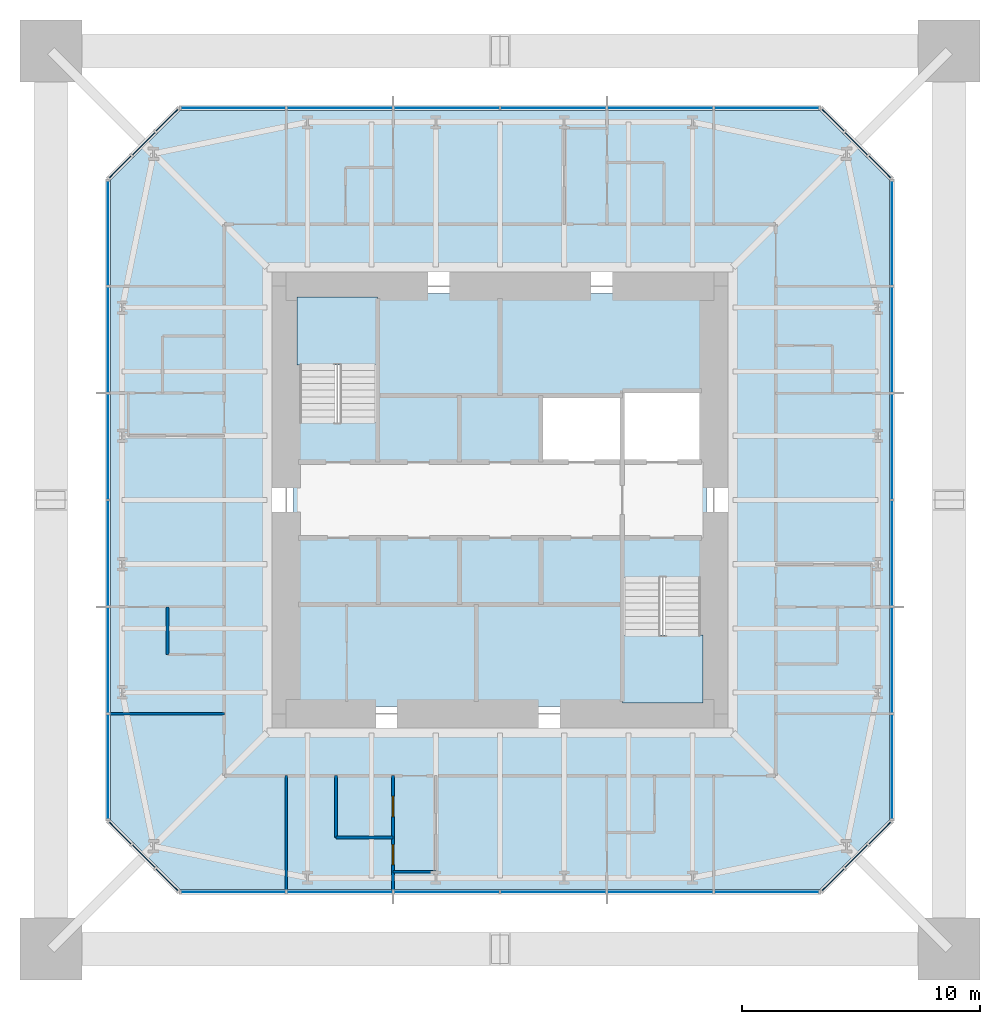
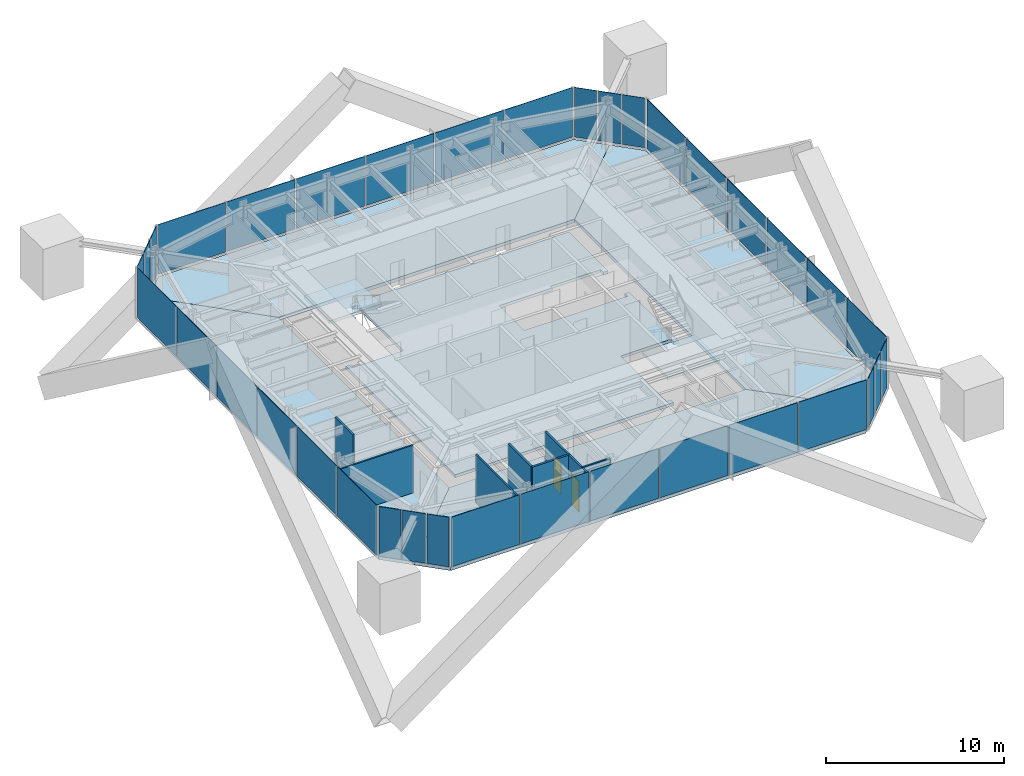
# One storey, part 6 of 10: 36 plates, 7 slabs, 7 walls, 2 doors, 2 openings, 10 elements without a shape of their own.
"""IFC4 building model written with IfcOpenShell, lengths in metres."""

from ifc_helpers import new_model, si_unit, direction, frame, frame_2d, origin, origin_2d, place, context, subcontext, project, spatial, polyline, rectangle, outline, extrude, material, layer, layer_set, constituent, constituent_set, type_object, element, fill, aggregate, save


model = new_model("IFC4")

# Units and contexts
model_context = context("Model", 3, precision=1e-05, world=origin(), true_north=direction((0.0, 1.0)))
body_context = subcontext(model_context, "Body", "Model", "MODEL_VIEW")
ifc_project = project(units=[si_unit("LENGTHUNIT", "METRE"), si_unit("AREAUNIT", "SQUARE_METRE"), si_unit("VOLUMEUNIT", "CUBIC_METRE"), si_unit("PLANEANGLEUNIT", "RADIAN"), si_unit("MASSUNIT", "GRAM", prefix="KILO")], contexts=[model_context])

# Site, building, storey
site_placement = place(None, origin())
site = spatial("IfcSite", under=ifc_project, at=site_placement, CompositionType="ELEMENT")
building_placement = place(site_placement, origin())
building = spatial("IfcBuilding", under=site, at=building_placement, Name="Iwan Alto Co-Living Towers", CompositionType="ELEMENT")
storey_placement = place(building_placement, frame((0.0, 0.0, 246.5)))
storey = spatial("IfcBuildingStorey", under=building, at=storey_placement, Name="L67", CompositionType="ELEMENT", Elevation=246.5)

# Slab
ifc_material_1 = material(Name="Concrete f'c 30 MPa", Category="concrete")
ifc_layer_1 = layer(ifc_material_1, 0.199951171875)
ifc_layer_set_1 = layer_set([ifc_layer_1], Name="CORE FLOOR SLAB 200")
slab_type_1 = type_object("IfcSlabType", Name="CORE FLOOR SLAB 200", PredefinedType="FLOOR", material=ifc_layer_set_1)
slab_1_placement = place(storey_placement, frame((0.0, 0.0, -0.199951171875)))
element("IfcSlab", 1, at=slab_1_placement, inside=storey, type_object=slab_type_1, Name="T1 core floor L67", PredefinedType="FLOOR", context=body_context, shape_type="SweptSolid", body=[
    extrude(outline(polyline([(-8.699951171875, 3.580078125), (-8.39990234375, 3.580078125), (-8.39990234375, 3.27001953125), (-5.14990234375, 3.27001953125), (-5.14990234375, 8.39990234375), (-5.4599609375, 8.39990234375), (-5.4599609375, 8.699951171875), (8.699951171875, 8.699951171875), (8.699951171875, 4.2900390625), (8.39990234375, 4.2900390625), (8.39990234375, 4.60009765625), (5.14990234375, 4.60009765625), (5.14990234375, 4.39990234375), (1.717041015625, 4.39990234375), (1.717041015625, 1.60009765625), (5.14990234375, 1.60009765625), (8.39990234375, 1.60009765625), (8.39990234375, 1.909912109375), (8.699951171875, 1.909912109375), (8.699951171875, -3.580078125), (8.39990234375, -3.580078125), (8.39990234375, -3.27001953125), (5.14990234375, -3.27001953125), (5.14990234375, -8.39990234375), (5.4599609375, -8.39990234375), (5.4599609375, -8.699951171875), (-8.699951171875, -8.699951171875), (-8.699951171875, 3.580078125)])), origin(), (0.0, 0.0, 1.0), 0.199951171875),
])

# Curtain wall, plates
ifc_material_2 = material(Name="Bronze aluminium unitised frame", Category="aluminium")
curtain_wall_type_1 = type_object("IfcCurtainWallType", Name="CURTAIN WALL CW-A", PredefinedType="NOTDEFINED", material=ifc_material_2)
curtain_wall_1_placement = place(storey_placement, origin())
curtain_wall_1 = element("IfcCurtainWall", 2, at=curtain_wall_1_placement, inside=storey, type_object=curtain_wall_type_1, Name="T1 curtain wall S L67", PredefinedType="NOTDEFINED")
ifc_material_3 = material(Name="Bronze-tinted insulating glass", Category="glass")
ifc_layer_2 = layer(ifc_material_3, 0.031982421875)
ifc_layer_set_2 = layer_set([ifc_layer_2], Name="CW-A PANEL TINTED IGU 32")
plate_type_1 = type_object("IfcPlateType", Name="CW-A PANEL TINTED IGU 32", PredefinedType="CURTAIN_PANEL", material=ifc_layer_set_2)
plate_1_placement = place(storey_placement, frame((-11.22998046875, -16.5, 0.10009765625), z_axis=(0.0, 0.0, 1.0), x_axis=(1.0, 0.0, 0.0)))
plate_1 = element("IfcPlate", 3, at=plate_1_placement, type_object=plate_type_1, Name="CW-A panel 1.1", PredefinedType="CURTAIN_PANEL", context=body_context, shape_type="SweptSolid", body=[
    extrude(rectangle(XDim=4.3798828125, YDim=0.031982421875, at=origin_2d()), origin(), (0.0, 0.0, 1.0), 3.39990234375),
])
plate_2_placement = place(storey_placement, frame((-6.75, -16.5, 0.10009765625), z_axis=(0.0, 0.0, 1.0), x_axis=(1.0, 0.0, 0.0)))
plate_2 = element("IfcPlate", 4, at=plate_2_placement, type_object=plate_type_1, Name="CW-A panel 2.1", PredefinedType="CURTAIN_PANEL", context=body_context, shape_type="SweptSolid", body=[
    extrude(rectangle(XDim=4.419921875, YDim=0.031982421875, at=origin_2d()), origin(), (0.0, 0.0, 1.0), 3.39990234375),
])
plate_3_placement = place(storey_placement, frame((-2.25, -16.5, 0.10009765625), z_axis=(0.0, 0.0, 1.0), x_axis=(1.0, 0.0, 0.0)))
plate_3 = element("IfcPlate", 5, at=plate_3_placement, type_object=plate_type_1, Name="CW-A panel 3.1", PredefinedType="CURTAIN_PANEL", context=body_context, shape_type="SweptSolid", body=[
    extrude(rectangle(XDim=4.419921875, YDim=0.031982421875, at=origin_2d()), origin(), (0.0, 0.0, 1.0), 3.39990234375),
])
plate_4_placement = place(storey_placement, frame((2.25, -16.5, 0.10009765625), z_axis=(0.0, 0.0, 1.0), x_axis=(1.0, 0.0, 0.0)))
plate_4 = element("IfcPlate", 6, at=plate_4_placement, type_object=plate_type_1, Name="CW-A panel 4.1", PredefinedType="CURTAIN_PANEL", context=body_context, shape_type="SweptSolid", body=[
    extrude(rectangle(XDim=4.419921875, YDim=0.031982421875, at=origin_2d()), origin(), (0.0, 0.0, 1.0), 3.39990234375),
])
plate_5_placement = place(storey_placement, frame((6.75, -16.5, 0.10009765625), z_axis=(0.0, 0.0, 1.0), x_axis=(1.0, 0.0, 0.0)))
plate_5 = element("IfcPlate", 7, at=plate_5_placement, type_object=plate_type_1, Name="CW-A panel 5.1", PredefinedType="CURTAIN_PANEL", context=body_context, shape_type="SweptSolid", body=[
    extrude(rectangle(XDim=4.419921875, YDim=0.031982421875, at=origin_2d()), origin(), (0.0, 0.0, 1.0), 3.39990234375),
])
plate_6_placement = place(storey_placement, frame((11.22998046875, -16.5, 0.10009765625), z_axis=(0.0, 0.0, 1.0), x_axis=(1.0, 0.0, 0.0)))
plate_6 = element("IfcPlate", 8, at=plate_6_placement, type_object=plate_type_1, Name="CW-A panel 6.1", PredefinedType="CURTAIN_PANEL", context=body_context, shape_type="SweptSolid", body=[
    extrude(rectangle(XDim=4.3798828125, YDim=0.031982421875, at=origin_2d()), origin(), (0.0, 0.0, 1.0), 3.39990234375),
])
aggregate(curtain_wall_1, [plate_1, plate_2, plate_3, plate_4, plate_5, plate_6])

curtain_wall_2_placement = place(storey_placement, origin())
curtain_wall_2 = element("IfcCurtainWall", 9, at=curtain_wall_2_placement, inside=storey, type_object=curtain_wall_type_1, Name="T1 curtain wall E L67", PredefinedType="NOTDEFINED")
plate_7_placement = place(storey_placement, frame((16.5, -11.22998046875, 0.10009765625), z_axis=(0.0, 0.0, 1.0), x_axis=(0.0, 1.0, 0.0)))
plate_7 = element("IfcPlate", 10, at=plate_7_placement, type_object=plate_type_1, Name="CW-A panel 1.1", PredefinedType="CURTAIN_PANEL", context=body_context, shape_type="SweptSolid", body=[
    extrude(rectangle(XDim=4.3798828125, YDim=0.031982421875, at=origin_2d()), origin(), (0.0, 0.0, 1.0), 3.39990234375),
])
plate_8_placement = place(storey_placement, frame((16.5, -6.75, 0.10009765625), z_axis=(0.0, 0.0, 1.0), x_axis=(0.0, 1.0, 0.0)))
plate_8 = element("IfcPlate", 11, at=plate_8_placement, type_object=plate_type_1, Name="CW-A panel 2.1", PredefinedType="CURTAIN_PANEL", context=body_context, shape_type="SweptSolid", body=[
    extrude(rectangle(XDim=4.419921875, YDim=0.031982421875, at=origin_2d()), origin(), (0.0, 0.0, 1.0), 3.39990234375),
])
plate_9_placement = place(storey_placement, frame((16.5, -2.25, 0.10009765625), z_axis=(0.0, 0.0, 1.0), x_axis=(0.0, 1.0, 0.0)))
plate_9 = element("IfcPlate", 12, at=plate_9_placement, type_object=plate_type_1, Name="CW-A panel 3.1", PredefinedType="CURTAIN_PANEL", context=body_context, shape_type="SweptSolid", body=[
    extrude(rectangle(XDim=4.419921875, YDim=0.031982421875, at=origin_2d()), origin(), (0.0, 0.0, 1.0), 3.39990234375),
])
plate_10_placement = place(storey_placement, frame((16.5, 2.25, 0.10009765625), z_axis=(0.0, 0.0, 1.0), x_axis=(0.0, 1.0, 0.0)))
plate_10 = element("IfcPlate", 13, at=plate_10_placement, type_object=plate_type_1, Name="CW-A panel 4.1", PredefinedType="CURTAIN_PANEL", context=body_context, shape_type="SweptSolid", body=[
    extrude(rectangle(XDim=4.419921875, YDim=0.031982421875, at=origin_2d()), origin(), (0.0, 0.0, 1.0), 3.39990234375),
])
plate_11_placement = place(storey_placement, frame((16.5, 6.75, 0.10009765625), z_axis=(0.0, 0.0, 1.0), x_axis=(0.0, 1.0, 0.0)))
plate_11 = element("IfcPlate", 14, at=plate_11_placement, type_object=plate_type_1, Name="CW-A panel 5.1", PredefinedType="CURTAIN_PANEL", context=body_context, shape_type="SweptSolid", body=[
    extrude(rectangle(XDim=4.419921875, YDim=0.031982421875, at=origin_2d()), origin(), (0.0, 0.0, 1.0), 3.39990234375),
])
plate_12_placement = place(storey_placement, frame((16.5, 11.22998046875, 0.10009765625), z_axis=(0.0, 0.0, 1.0), x_axis=(0.0, 1.0, 0.0)))
plate_12 = element("IfcPlate", 15, at=plate_12_placement, type_object=plate_type_1, Name="CW-A panel 6.1", PredefinedType="CURTAIN_PANEL", context=body_context, shape_type="SweptSolid", body=[
    extrude(rectangle(XDim=4.3798828125, YDim=0.031982421875, at=origin_2d()), origin(), (0.0, 0.0, 1.0), 3.39990234375),
])
aggregate(curtain_wall_2, [plate_7, plate_8, plate_9, plate_10, plate_11, plate_12])

curtain_wall_3_placement = place(storey_placement, origin())
curtain_wall_3 = element("IfcCurtainWall", 16, at=curtain_wall_3_placement, inside=storey, type_object=curtain_wall_type_1, Name="T1 curtain wall N L67", PredefinedType="NOTDEFINED")
plate_13_placement = place(storey_placement, frame((11.22998046875, 16.5, 0.10009765625), z_axis=(0.0, 0.0, 1.0), x_axis=(-1.0, 0.0, 0.0)))
plate_13 = element("IfcPlate", 17, at=plate_13_placement, type_object=plate_type_1, Name="CW-A panel 1.1", PredefinedType="CURTAIN_PANEL", context=body_context, shape_type="SweptSolid", body=[
    extrude(rectangle(XDim=4.3798828125, YDim=0.031982421875, at=origin_2d()), origin(), (0.0, 0.0, 1.0), 3.39990234375),
])
plate_14_placement = place(storey_placement, frame((6.75, 16.5, 0.10009765625), z_axis=(0.0, 0.0, 1.0), x_axis=(-1.0, 0.0, 0.0)))
plate_14 = element("IfcPlate", 18, at=plate_14_placement, type_object=plate_type_1, Name="CW-A panel 2.1", PredefinedType="CURTAIN_PANEL", context=body_context, shape_type="SweptSolid", body=[
    extrude(rectangle(XDim=4.419921875, YDim=0.031982421875, at=origin_2d()), origin(), (0.0, 0.0, 1.0), 3.39990234375),
])
plate_15_placement = place(storey_placement, frame((2.25, 16.5, 0.10009765625), z_axis=(0.0, 0.0, 1.0), x_axis=(-1.0, 0.0, 0.0)))
plate_15 = element("IfcPlate", 19, at=plate_15_placement, type_object=plate_type_1, Name="CW-A panel 3.1", PredefinedType="CURTAIN_PANEL", context=body_context, shape_type="SweptSolid", body=[
    extrude(rectangle(XDim=4.419921875, YDim=0.031982421875, at=origin_2d()), origin(), (0.0, 0.0, 1.0), 3.39990234375),
])
plate_16_placement = place(storey_placement, frame((-2.25, 16.5, 0.10009765625), z_axis=(0.0, 0.0, 1.0), x_axis=(-1.0, 0.0, 0.0)))
plate_16 = element("IfcPlate", 20, at=plate_16_placement, type_object=plate_type_1, Name="CW-A panel 4.1", PredefinedType="CURTAIN_PANEL", context=body_context, shape_type="SweptSolid", body=[
    extrude(rectangle(XDim=4.419921875, YDim=0.031982421875, at=origin_2d()), origin(), (0.0, 0.0, 1.0), 3.39990234375),
])
plate_17_placement = place(storey_placement, frame((-6.75, 16.5, 0.10009765625), z_axis=(0.0, 0.0, 1.0), x_axis=(-1.0, 0.0, 0.0)))
plate_17 = element("IfcPlate", 21, at=plate_17_placement, type_object=plate_type_1, Name="CW-A panel 5.1", PredefinedType="CURTAIN_PANEL", context=body_context, shape_type="SweptSolid", body=[
    extrude(rectangle(XDim=4.419921875, YDim=0.031982421875, at=origin_2d()), origin(), (0.0, 0.0, 1.0), 3.39990234375),
])
plate_18_placement = place(storey_placement, frame((-11.22998046875, 16.5, 0.10009765625), z_axis=(0.0, 0.0, 1.0), x_axis=(-1.0, 0.0, 0.0)))
plate_18 = element("IfcPlate", 22, at=plate_18_placement, type_object=plate_type_1, Name="CW-A panel 6.1", PredefinedType="CURTAIN_PANEL", context=body_context, shape_type="SweptSolid", body=[
    extrude(rectangle(XDim=4.3798828125, YDim=0.031982421875, at=origin_2d()), origin(), (0.0, 0.0, 1.0), 3.39990234375),
])
aggregate(curtain_wall_3, [plate_13, plate_14, plate_15, plate_16, plate_17, plate_18])

curtain_wall_4_placement = place(storey_placement, origin())
curtain_wall_4 = element("IfcCurtainWall", 23, at=curtain_wall_4_placement, inside=storey, type_object=curtain_wall_type_1, Name="T1 curtain wall W L67", PredefinedType="NOTDEFINED")
plate_19_placement = place(storey_placement, frame((-16.5, 11.22998046875, 0.10009765625), z_axis=(0.0, 0.0, 1.0), x_axis=(0.0, -1.0, 0.0)))
plate_19 = element("IfcPlate", 24, at=plate_19_placement, type_object=plate_type_1, Name="CW-A panel 1.1", PredefinedType="CURTAIN_PANEL", context=body_context, shape_type="SweptSolid", body=[
    extrude(rectangle(XDim=4.3798828125, YDim=0.031982421875, at=origin_2d()), origin(), (0.0, 0.0, 1.0), 3.39990234375),
])
plate_20_placement = place(storey_placement, frame((-16.5, 6.75, 0.10009765625), z_axis=(0.0, 0.0, 1.0), x_axis=(0.0, -1.0, 0.0)))
plate_20 = element("IfcPlate", 25, at=plate_20_placement, type_object=plate_type_1, Name="CW-A panel 2.1", PredefinedType="CURTAIN_PANEL", context=body_context, shape_type="SweptSolid", body=[
    extrude(rectangle(XDim=4.419921875, YDim=0.031982421875, at=origin_2d()), origin(), (0.0, 0.0, 1.0), 3.39990234375),
])
plate_21_placement = place(storey_placement, frame((-16.5, 2.25, 0.10009765625), z_axis=(0.0, 0.0, 1.0), x_axis=(0.0, -1.0, 0.0)))
plate_21 = element("IfcPlate", 26, at=plate_21_placement, type_object=plate_type_1, Name="CW-A panel 3.1", PredefinedType="CURTAIN_PANEL", context=body_context, shape_type="SweptSolid", body=[
    extrude(rectangle(XDim=4.419921875, YDim=0.031982421875, at=origin_2d()), origin(), (0.0, 0.0, 1.0), 3.39990234375),
])
plate_22_placement = place(storey_placement, frame((-16.5, -2.25, 0.10009765625), z_axis=(0.0, 0.0, 1.0), x_axis=(0.0, -1.0, 0.0)))
plate_22 = element("IfcPlate", 27, at=plate_22_placement, type_object=plate_type_1, Name="CW-A panel 4.1", PredefinedType="CURTAIN_PANEL", context=body_context, shape_type="SweptSolid", body=[
    extrude(rectangle(XDim=4.419921875, YDim=0.031982421875, at=origin_2d()), origin(), (0.0, 0.0, 1.0), 3.39990234375),
])
plate_23_placement = place(storey_placement, frame((-16.5, -6.75, 0.10009765625), z_axis=(0.0, 0.0, 1.0), x_axis=(0.0, -1.0, 0.0)))
plate_23 = element("IfcPlate", 28, at=plate_23_placement, type_object=plate_type_1, Name="CW-A panel 5.1", PredefinedType="CURTAIN_PANEL", context=body_context, shape_type="SweptSolid", body=[
    extrude(rectangle(XDim=4.419921875, YDim=0.031982421875, at=origin_2d()), origin(), (0.0, 0.0, 1.0), 3.39990234375),
])
plate_24_placement = place(storey_placement, frame((-16.5, -11.22998046875, 0.10009765625), z_axis=(0.0, 0.0, 1.0), x_axis=(0.0, -1.0, 0.0)))
plate_24 = element("IfcPlate", 29, at=plate_24_placement, type_object=plate_type_1, Name="CW-A panel 6.1", PredefinedType="CURTAIN_PANEL", context=body_context, shape_type="SweptSolid", body=[
    extrude(rectangle(XDim=4.3798828125, YDim=0.031982421875, at=origin_2d()), origin(), (0.0, 0.0, 1.0), 3.39990234375),
])
aggregate(curtain_wall_4, [plate_19, plate_20, plate_21, plate_22, plate_23, plate_24])

ifc_material_4 = material(Name="Bronze aluminium unitised frame", Category="aluminium")
curtain_wall_type_2 = type_object("IfcCurtainWallType", Name="CURTAIN WALL CW-B", PredefinedType="NOTDEFINED", material=ifc_material_4)
curtain_wall_5_placement = place(storey_placement, origin())
curtain_wall_5 = element("IfcCurtainWall", 30, at=curtain_wall_5_placement, inside=storey, type_object=curtain_wall_type_2, Name="T1 chamfer curtain wall SE L67", PredefinedType="NOTDEFINED")
ifc_material_5 = material(Name="Bronze-tinted insulating glass", Category="glass")
ifc_layer_3 = layer(ifc_material_5, 0.031982421875)
ifc_layer_set_3 = layer_set([ifc_layer_3], Name="CW-B PANEL TINTED IGU 32")
plate_type_2 = type_object("IfcPlateType", Name="CW-B PANEL TINTED IGU 32", PredefinedType="CURTAIN_PANEL", material=ifc_layer_set_3)
plate_25_placement = place(storey_placement, frame((14.01416015625, -15.98583984375, 0.10009765625), z_axis=(0.0, 0.0, 1.0), x_axis=(0.707106781187, 0.707106781187, 0.0)))
plate_25 = element("IfcPlate", 31, at=plate_25_placement, type_object=plate_type_2, Name="CW-B panel 1.1", PredefinedType="CURTAIN_PANEL", context=body_context, shape_type="SweptSolid", body=[
    extrude(rectangle(XDim=1.294189453125, YDim=0.031982421875, at=origin_2d()), origin(), (0.0, 0.0, 1.0), 3.39990234375),
])
plate_26_placement = place(storey_placement, frame((15.0, -15.0, 0.10009765625), z_axis=(0.0, 0.0, 1.0), x_axis=(0.707106781187, 0.707106781187, 0.0)))
plate_26 = element("IfcPlate", 32, at=plate_26_placement, type_object=plate_type_2, Name="CW-B panel 2.1", PredefinedType="CURTAIN_PANEL", context=body_context, shape_type="SweptSolid", body=[
    extrude(rectangle(XDim=1.334228515625, YDim=0.031982421875, at=origin_2d()), origin(), (0.0, 0.0, 1.0), 3.39990234375),
])
plate_27_placement = place(storey_placement, frame((15.98583984375, -14.01416015625, 0.10009765625), z_axis=(0.0, 0.0, 1.0), x_axis=(0.707106781187, 0.707106781187, 0.0)))
plate_27 = element("IfcPlate", 33, at=plate_27_placement, type_object=plate_type_2, Name="CW-B panel 3.1", PredefinedType="CURTAIN_PANEL", context=body_context, shape_type="SweptSolid", body=[
    extrude(rectangle(XDim=1.294189453125, YDim=0.031982421875, at=origin_2d()), origin(), (0.0, 0.0, 1.0), 3.39990234375),
])
aggregate(curtain_wall_5, [plate_25, plate_26, plate_27])

curtain_wall_6_placement = place(storey_placement, origin())
curtain_wall_6 = element("IfcCurtainWall", 34, at=curtain_wall_6_placement, inside=storey, type_object=curtain_wall_type_2, Name="T1 chamfer curtain wall NE L67", PredefinedType="NOTDEFINED")
plate_28_placement = place(storey_placement, frame((15.98583984375, 14.01416015625, 0.10009765625), z_axis=(0.0, 0.0, 1.0), x_axis=(-0.707106781187, 0.707106781187, 0.0)))
plate_28 = element("IfcPlate", 35, at=plate_28_placement, type_object=plate_type_2, Name="CW-B panel 1.1", PredefinedType="CURTAIN_PANEL", context=body_context, shape_type="SweptSolid", body=[
    extrude(rectangle(XDim=1.294189453125, YDim=0.031982421875, at=origin_2d()), origin(), (0.0, 0.0, 1.0), 3.39990234375),
])
plate_29_placement = place(storey_placement, frame((15.0, 15.0, 0.10009765625), z_axis=(0.0, 0.0, 1.0), x_axis=(-0.707106781187, 0.707106781187, 0.0)))
plate_29 = element("IfcPlate", 36, at=plate_29_placement, type_object=plate_type_2, Name="CW-B panel 2.1", PredefinedType="CURTAIN_PANEL", context=body_context, shape_type="SweptSolid", body=[
    extrude(rectangle(XDim=1.334228515625, YDim=0.031982421875, at=origin_2d()), origin(), (0.0, 0.0, 1.0), 3.39990234375),
])
plate_30_placement = place(storey_placement, frame((14.01416015625, 15.98583984375, 0.10009765625), z_axis=(0.0, 0.0, 1.0), x_axis=(-0.707106781187, 0.707106781187, 0.0)))
plate_30 = element("IfcPlate", 37, at=plate_30_placement, type_object=plate_type_2, Name="CW-B panel 3.1", PredefinedType="CURTAIN_PANEL", context=body_context, shape_type="SweptSolid", body=[
    extrude(rectangle(XDim=1.294189453125, YDim=0.031982421875, at=origin_2d()), origin(), (0.0, 0.0, 1.0), 3.39990234375),
])
aggregate(curtain_wall_6, [plate_28, plate_29, plate_30])

curtain_wall_7_placement = place(storey_placement, origin())
curtain_wall_7 = element("IfcCurtainWall", 38, at=curtain_wall_7_placement, inside=storey, type_object=curtain_wall_type_2, Name="T1 chamfer curtain wall NW L67", PredefinedType="NOTDEFINED")
plate_31_placement = place(storey_placement, frame((-14.01416015625, 15.98583984375, 0.10009765625), z_axis=(0.0, 0.0, 1.0), x_axis=(-0.707106781187, -0.707106781187, 0.0)))
plate_31 = element("IfcPlate", 39, at=plate_31_placement, type_object=plate_type_2, Name="CW-B panel 1.1", PredefinedType="CURTAIN_PANEL", context=body_context, shape_type="SweptSolid", body=[
    extrude(rectangle(XDim=1.294189453125, YDim=0.031982421875, at=origin_2d()), origin(), (0.0, 0.0, 1.0), 3.39990234375),
])
plate_32_placement = place(storey_placement, frame((-15.0, 15.0, 0.10009765625), z_axis=(0.0, 0.0, 1.0), x_axis=(-0.707106781187, -0.707106781187, 0.0)))
plate_32 = element("IfcPlate", 40, at=plate_32_placement, type_object=plate_type_2, Name="CW-B panel 2.1", PredefinedType="CURTAIN_PANEL", context=body_context, shape_type="SweptSolid", body=[
    extrude(rectangle(XDim=1.334228515625, YDim=0.031982421875, at=origin_2d()), origin(), (0.0, 0.0, 1.0), 3.39990234375),
])
plate_33_placement = place(storey_placement, frame((-15.98583984375, 14.01416015625, 0.10009765625), z_axis=(0.0, 0.0, 1.0), x_axis=(-0.707106781187, -0.707106781187, 0.0)))
plate_33 = element("IfcPlate", 41, at=plate_33_placement, type_object=plate_type_2, Name="CW-B panel 3.1", PredefinedType="CURTAIN_PANEL", context=body_context, shape_type="SweptSolid", body=[
    extrude(rectangle(XDim=1.294189453125, YDim=0.031982421875, at=origin_2d()), origin(), (0.0, 0.0, 1.0), 3.39990234375),
])
aggregate(curtain_wall_7, [plate_31, plate_32, plate_33])

curtain_wall_8_placement = place(storey_placement, origin())
curtain_wall_8 = element("IfcCurtainWall", 42, at=curtain_wall_8_placement, inside=storey, type_object=curtain_wall_type_2, Name="T1 chamfer curtain wall SW L67", PredefinedType="NOTDEFINED")
plate_34_placement = place(storey_placement, frame((-15.98583984375, -14.01416015625, 0.10009765625), z_axis=(0.0, 0.0, 1.0), x_axis=(0.707106781187, -0.707106781187, 0.0)))
plate_34 = element("IfcPlate", 43, at=plate_34_placement, type_object=plate_type_2, Name="CW-B panel 1.1", PredefinedType="CURTAIN_PANEL", context=body_context, shape_type="SweptSolid", body=[
    extrude(rectangle(XDim=1.294189453125, YDim=0.031982421875, at=origin_2d()), origin(), (0.0, 0.0, 1.0), 3.39990234375),
])
plate_35_placement = place(storey_placement, frame((-15.0, -15.0, 0.10009765625), z_axis=(0.0, 0.0, 1.0), x_axis=(0.707106781187, -0.707106781187, 0.0)))
plate_35 = element("IfcPlate", 44, at=plate_35_placement, type_object=plate_type_2, Name="CW-B panel 2.1", PredefinedType="CURTAIN_PANEL", context=body_context, shape_type="SweptSolid", body=[
    extrude(rectangle(XDim=1.334228515625, YDim=0.031982421875, at=origin_2d()), origin(), (0.0, 0.0, 1.0), 3.39990234375),
])
plate_36_placement = place(storey_placement, frame((-14.01416015625, -15.98583984375, 0.10009765625), z_axis=(0.0, 0.0, 1.0), x_axis=(0.707106781187, -0.707106781187, 0.0)))
plate_36 = element("IfcPlate", 45, at=plate_36_placement, type_object=plate_type_2, Name="CW-B panel 3.1", PredefinedType="CURTAIN_PANEL", context=body_context, shape_type="SweptSolid", body=[
    extrude(rectangle(XDim=1.294189453125, YDim=0.031982421875, at=origin_2d()), origin(), (0.0, 0.0, 1.0), 3.39990234375),
])
aggregate(curtain_wall_8, [plate_34, plate_35, plate_36])

# Stair, slab
ifc_material_6 = material(Name="Steel ASTM A36", Category="steel")
ifc_constituent_1 = constituent(ifc_material_6, Name="Stringers", Category="LoadBearing")
ifc_material_7 = material(Name="Concrete f'c 30 MPa", Category="concrete")
ifc_constituent_2 = constituent(ifc_material_7, Name="Tread fill", Category="Finish")
ifc_constituent_set = constituent_set(constituents=[ifc_constituent_1, ifc_constituent_2], Name="STAIR 3500 TWO-FLIGHT T1 CORE")
stair_type = type_object("IfcStairType", Name="STAIR 3500 TWO-FLIGHT T1 CORE", PredefinedType="HALF_TURN_STAIR", material=ifc_constituent_set)
stair_1_placement = place(storey_placement, origin())
stair_1 = element("IfcStair", 46, at=stair_1_placement, inside=storey, type_object=stair_type, Name="Stair T1-S1 L67 to L68", PredefinedType="HALF_TURN_STAIR")
ifc_material_8 = material(Name="Concrete f'c 30 MPa", Category="concrete")
ifc_layer_4 = layer(ifc_material_8, 0.199951171875)
ifc_layer_set_4 = layer_set([ifc_layer_4], Name="STAIR LANDING 200")
slab_type_2 = type_object("IfcSlabType", Name="STAIR LANDING 200", PredefinedType="LANDING", material=ifc_layer_set_4)
slab_2_placement = place(storey_placement, frame((0.0, 0.0, 1.550048828125)))
slab_2 = element("IfcSlab", 47, at=slab_2_placement, type_object=slab_type_2, Name="T1-S1 landing 1", PredefinedType="LANDING", context=body_context, shape_type="SweptSolid", body=[
    extrude(outline(polyline([(-8.550048828125, 5.68994140625), (-8.550048828125, 8.550048828125), (-5.14990234375, 8.550048828125), (-5.14990234375, 5.68994140625), (-8.550048828125, 5.68994140625)])), origin(), (0.0, 0.0, 1.0), 0.199951171875),
])
aggregate(stair_1, [slab_2])

stair_2_placement = place(storey_placement, origin())
stair_2 = element("IfcStair", 48, at=stair_2_placement, inside=storey, type_object=stair_type, Name="Stair T1-S2 L67 to L68", PredefinedType="HALF_TURN_STAIR")
slab_3_placement = place(storey_placement, frame((0.0, 0.0, 1.550048828125)))
slab_3 = element("IfcSlab", 49, at=slab_3_placement, type_object=slab_type_2, Name="T1-S2 landing 1", PredefinedType="LANDING", context=body_context, shape_type="SweptSolid", body=[
    extrude(outline(polyline([(5.14990234375, -5.68994140625), (5.14990234375, -8.550048828125), (8.550048828125, -8.550048828125), (8.550048828125, -5.68994140625), (5.14990234375, -5.68994140625)])), origin(), (0.0, 0.0, 1.0), 0.199951171875),
])
aggregate(stair_2, [slab_3])

# Slabs
ifc_material_9 = material(Name="Concrete f'c 30 MPa", Category="concrete")
ifc_layer_5 = layer(ifc_material_9, 0.22998046875)
ifc_layer_set_5 = layer_set([ifc_layer_5], Name="T1 FLOOR SLAB 230")
slab_type_3 = type_object("IfcSlabType", Name="T1 FLOOR SLAB 230", PredefinedType="FLOOR", material=ifc_layer_set_5)
slab_4_placement = place(storey_placement, frame((0.0, 0.0, -0.22998046875)))
element("IfcSlab", 50, at=slab_4_placement, inside=storey, type_object=slab_type_3, Name="T1 floor slab L67 S pour", PredefinedType="FLOOR", context=body_context, shape_type="SweptSolid", body=[
    extrude(outline(polyline([(13.44140625, -16.39990234375), (-13.44140625, -16.39990234375), (-14.920654296875, -14.920654296875), (-9.60009765625, -9.60009765625), (9.60009765625, -9.60009765625), (14.920654296875, -14.920654296875), (13.44140625, -16.39990234375)])), origin(), (0.0, 0.0, 1.0), 0.22998046875),
])
slab_5_placement = place(storey_placement, frame((0.0, 0.0, -0.22998046875)))
element("IfcSlab", 51, at=slab_5_placement, inside=storey, type_object=slab_type_3, Name="T1 floor slab L67 E pour", PredefinedType="FLOOR", context=body_context, shape_type="SweptSolid", body=[
    extrude(outline(polyline([(16.39990234375, 13.44140625), (16.39990234375, -13.44140625), (14.920654296875, -14.920654296875), (9.60009765625, -9.60009765625), (9.60009765625, 9.60009765625), (14.920654296875, 14.920654296875), (16.39990234375, 13.44140625)])), origin(), (0.0, 0.0, 1.0), 0.22998046875),
])
slab_6_placement = place(storey_placement, frame((0.0, 0.0, -0.22998046875)))
element("IfcSlab", 52, at=slab_6_placement, inside=storey, type_object=slab_type_3, Name="T1 floor slab L67 N pour", PredefinedType="FLOOR", context=body_context, shape_type="SweptSolid", body=[
    extrude(outline(polyline([(-13.44140625, 16.39990234375), (13.44140625, 16.39990234375), (14.920654296875, 14.920654296875), (9.60009765625, 9.60009765625), (-9.60009765625, 9.60009765625), (-14.920654296875, 14.920654296875), (-13.44140625, 16.39990234375)])), origin(), (0.0, 0.0, 1.0), 0.22998046875),
])
slab_7_placement = place(storey_placement, frame((0.0, 0.0, -0.22998046875)))
element("IfcSlab", 53, at=slab_7_placement, inside=storey, type_object=slab_type_3, Name="T1 floor slab L67 W pour", PredefinedType="FLOOR", context=body_context, shape_type="SweptSolid", body=[
    extrude(outline(polyline([(-16.39990234375, 13.44140625), (-14.920654296875, 14.920654296875), (-9.60009765625, 9.60009765625), (-9.60009765625, -9.60009765625), (-14.920654296875, -14.920654296875), (-16.39990234375, -13.44140625), (-16.39990234375, 13.44140625)])), origin(), (0.0, 0.0, 1.0), 0.22998046875),
])

# Walls
ifc_material_10 = material(Name="Gypsum board")
ifc_layer_6 = layer(ifc_material_10, 0.012451171875, Name="Board", Category="Finish")
ifc_material_11 = material(Name="Steel ASTM A1003 ST33H cold-formed studs", Category="steel")
ifc_layer_7 = layer(ifc_material_11, 0.074951171875, Name="Studs", Category="Framing")
ifc_layer_8 = layer(ifc_material_10, 0.012451171875, Name="Board", Category="Finish")
ifc_layer_set_6 = layer_set([ifc_layer_6, ifc_layer_7, ifc_layer_8], Name="PARTITION 100")
wall_type_1 = type_object("IfcWallType", Name="PARTITION 100", PredefinedType="PARTITIONING", material=ifc_layer_set_6)
wall_1_placement = place(storey_placement, frame((-4.5, -15.64990234375, 0.0), z_axis=(0.0, 0.0, 1.0), x_axis=(1.0, 0.0, 0.0)))
element("IfcWall", 54, at=wall_1_placement, inside=storey, type_object=wall_type_1, Name="Partition L67", PredefinedType="PARTITIONING", context=body_context, shape_type="SweptSolid", body=[
    extrude(rectangle(XDim=1.800048828125, YDim=0.10009765625, at=frame_2d((0.89990234375, 0.0))), origin(), (0.0, 0.0, 1.0), 3.27001953125),
])
for number, where, z_axis, x_axis, name in (
    (55, (-16.43994140625, -9.0, 0.0), (0.0, 0.0, 1.0), (1.0, 0.0, 0.0), "Partition L67"),
    (56, (-9.0, -16.43994140625, 0.0), (0.0, 0.0, 1.0), (0.0, 1.0, 0.0), "Partition L67"),
):
    element("IfcWall", number, at=place(storey_placement, frame(where, z_axis=z_axis, x_axis=x_axis)), inside=storey, type_object=wall_type_1, Name=name, PredefinedType="PARTITIONING", context=body_context, shape_type="SweptSolid", body=[
        extrude(rectangle(XDim=4.83984375, YDim=0.10009765625, at=frame_2d((2.419921875, 0.0))), origin(), (0.0, 0.0, 1.0), 3.27001953125),
    ])
ifc_material_12 = material(Name="Cement board")
ifc_layer_9 = layer(ifc_material_12, 0.012451171875, Name="Board", Category="Finish")
ifc_layer_10 = layer(ifc_material_11, 0.094970703125, Name="Studs", Category="Framing")
ifc_layer_11 = layer(ifc_material_12, 0.012451171875, Name="Board", Category="Finish")
ifc_layer_set_7 = layer_set([ifc_layer_9, ifc_layer_10, ifc_layer_11], Name="WET AREA PARTITION 120")
wall_type_2 = type_object("IfcWallType", Name="WET AREA PARTITION 120", PredefinedType="PARTITIONING", material=ifc_layer_set_7)
wall_2_placement = place(storey_placement, frame((-6.89990234375, -14.199951171875, 0.0), z_axis=(0.0, 0.0, 1.0), x_axis=(1.0, 0.0, 0.0)))
element("IfcWall", 57, at=wall_2_placement, inside=storey, type_object=wall_type_2, Name="Partition L67", PredefinedType="PARTITIONING", context=body_context, shape_type="SweptSolid", body=[
    extrude(rectangle(XDim=2.39990234375, YDim=0.1201171875, at=frame_2d((1.199951171875, 0.0))), origin(), (0.0, 0.0, 1.0), 3.27001953125),
])

# Wall, openings, doors
wall_3_placement = place(storey_placement, frame((-4.5, -16.43994140625, 0.0), z_axis=(0.0, 0.0, 1.0), x_axis=(0.0, 1.0, 0.0)))
wall_3 = element("IfcWall", 58, at=wall_3_placement, inside=storey, type_object=wall_type_2, Name="Partition L67", PredefinedType="PARTITIONING", context=body_context, shape_type="SweptSolid", body=[
    extrude(rectangle(XDim=4.83984375, YDim=0.1201171875, at=frame_2d((2.419921875, 0.0))), origin(), (0.0, 0.0, 1.0), 3.27001953125),
])
opening_1_placement = place(wall_3_placement, frame((1.090087890625, 0.0, 0.0)))
opening_1 = element("IfcOpeningElement", 59, at=opening_1_placement, cuts=wall_3, Name="Opening D2", PredefinedType="OPENING", context=body_context, shape_type="SweptSolid", body=[
    extrude(rectangle(XDim=0.85009765625, YDim=2.10009765625, at=frame_2d((0.425048828125, 1.050048828125))), frame((0.0, 0.070068359375, 0.0), z_axis=(0.0, -1.0, 0.0), x_axis=(1.0, 0.0, 0.0)), (0.0, 0.0, 1.0), 0.14013671875),
])
opening_2_placement = place(wall_3_placement, frame((3.114990234375, 0.0, 0.0)))
opening_2 = element("IfcOpeningElement", 60, at=opening_2_placement, cuts=wall_3, Name="Opening D2", PredefinedType="OPENING", context=body_context, shape_type="SweptSolid", body=[
    extrude(rectangle(XDim=0.85009765625, YDim=2.10009765625, at=frame_2d((0.425048828125, 1.050048828125))), frame((0.0, 0.070068359375, 0.0), z_axis=(0.0, -1.0, 0.0), x_axis=(1.0, 0.0, 0.0)), (0.0, 0.0, 1.0), 0.14013671875),
])
ifc_material_13 = material(Name="Timber leaf in steel frame", Category="steel")
door_type = type_object("IfcDoorType", Name="ROOM DOOR 850X2100", OperationType="SINGLE_SWING_LEFT", PredefinedType="DOOR", material=ifc_material_13)
door_1_placement = place(opening_1_placement, origin())
door_1 = element("IfcDoor", 61, at=door_1_placement, inside=storey, type_object=door_type, Name="Bedroom door L67", OperationType="SINGLE_SWING_RIGHT", OverallHeight=2.10009765625, OverallWidth=0.85009765625, PredefinedType="DOOR", context=body_context, shape_type="SweptSolid", body=[
    extrude(rectangle(XDim=0.85009765625, YDim=2.10009765625, at=frame_2d((0.425048828125, 1.050048828125))), frame((0.0, 0.02490234375, 0.0), z_axis=(0.0, -1.0, 0.0), x_axis=(1.0, 0.0, 0.0)), (0.0, 0.0, 1.0), 0.050048828125),
])
fill(opening_1, door_1)
door_2_placement = place(opening_2_placement, origin())
door_2 = element("IfcDoor", 62, at=door_2_placement, inside=storey, type_object=door_type, Name="Bathroom door L67", OperationType="SINGLE_SWING_LEFT", OverallHeight=2.10009765625, OverallWidth=0.85009765625, PredefinedType="DOOR", context=body_context, shape_type="SweptSolid", body=[
    extrude(rectangle(XDim=0.85009765625, YDim=2.10009765625, at=frame_2d((0.425048828125, 1.050048828125))), frame((0.0, 0.02490234375, 0.0), z_axis=(0.0, -1.0, 0.0), x_axis=(1.0, 0.0, 0.0)), (0.0, 0.0, 1.0), 0.050048828125),
])
fill(opening_2, door_2)

# Walls
wall_4_placement = place(storey_placement, frame((-6.89990234375, -14.199951171875, 0.0), z_axis=(0.0, 0.0, 1.0), x_axis=(0.0, 1.0, 0.0)))
element("IfcWall", 63, at=wall_4_placement, inside=storey, type_object=wall_type_2, Name="Partition L67", PredefinedType="PARTITIONING", context=body_context, shape_type="SweptSolid", body=[
    extrude(rectangle(XDim=2.599853515625, YDim=0.1201171875, at=frame_2d((1.2998046875, 0.0))), origin(), (0.0, 0.0, 1.0), 3.27001953125),
])
wall_5_placement = place(storey_placement, frame((-14.0, -6.5, 0.0), z_axis=(0.0, 0.0, 1.0), x_axis=(0.0, 1.0, 0.0)))
element("IfcWall", 64, at=wall_5_placement, inside=storey, type_object=wall_type_2, Name="Partition L67", PredefinedType="PARTITIONING", context=body_context, shape_type="SweptSolid", body=[
    extrude(rectangle(XDim=2.0, YDim=0.1201171875, at=frame_2d((1.0, 0.0))), origin(), (0.0, 0.0, 1.0), 3.27001953125),
])

save(model, "model.ifc")
